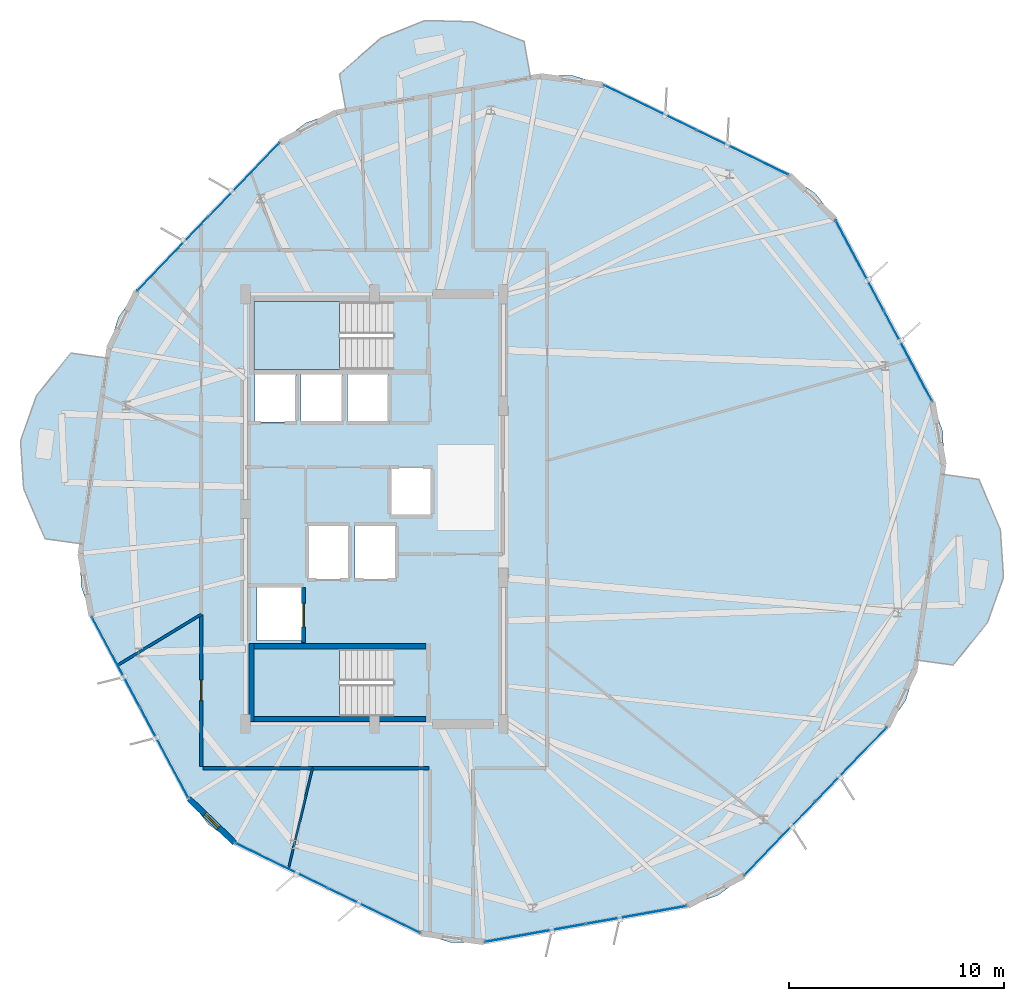
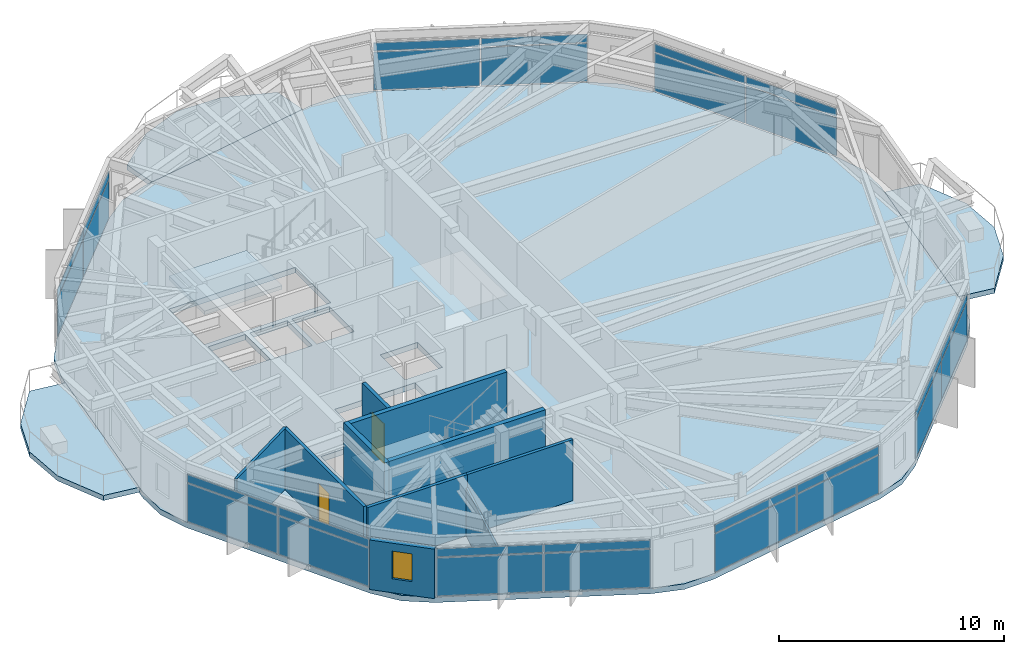
# One storey, part 22 of 28: 28 plates, 10 walls, 6 slabs, 2 doors, 1 window, 3 openings, 9 elements without a shape of their own.
"""IFC4 building model written with IfcOpenShell, lengths in metres."""

from ifc_helpers import new_model, si_unit, direction, frame, frame_2d, origin, origin_2d, place, context, subcontext, project, spatial, polyline, rectangle, outline, extrude, material, layer, layer_set, type_object, element, fill, aggregate, save


model = new_model("IFC4")

# Units and contexts
model_context = context("Model", 3, precision=1e-05, world=origin(), true_north=direction((0.0, 1.0)))
body_context = subcontext(model_context, "Body", "Model", "MODEL_VIEW")
ifc_project = project(units=[si_unit("LENGTHUNIT", "METRE"), si_unit("AREAUNIT", "SQUARE_METRE"), si_unit("VOLUMEUNIT", "CUBIC_METRE"), si_unit("PLANEANGLEUNIT", "RADIAN"), si_unit("MASSUNIT", "GRAM", prefix="KILO")], contexts=[model_context])

# Site, building, storey
site_placement = place(None, origin())
site = spatial("IfcSite", under=ifc_project, at=site_placement, CompositionType="ELEMENT")
building_placement = place(site_placement, origin())
building = spatial("IfcBuilding", under=site, at=building_placement, Name="Soratama Intermodal Tower", CompositionType="ELEMENT")
storey_placement = place(building_placement, frame((0.0, 0.0, 205.0)))
storey = spatial("IfcBuildingStorey", under=building, at=storey_placement, Name="L51", CompositionType="ELEMENT", Elevation=205.0)

# Curtain wall, plates
ifc_material_1 = material(Name="Double-glazed aluminium curtain wall", Category="aluminium")
ifc_layer_1 = layer(ifc_material_1, 0.159912109375)
ifc_layer_set_1 = layer_set([ifc_layer_1], Name="Double-glazed aluminium curtain wall")
curtain_wall_type = type_object("IfcCurtainWallType", Name="CW-SYS-5", PredefinedType="NOTDEFINED", material=ifc_layer_set_1)
curtain_wall_1_placement = place(storey_placement, origin())
curtain_wall_1 = element("IfcCurtainWall", 1, at=curtain_wall_1_placement, inside=storey, type_object=curtain_wall_type, Name="L51 Faceted Curtain Wall F01", PredefinedType="NOTDEFINED")
ifc_material_2 = material(Name="Low-E laminated double glazing", Category="glass")
ifc_layer_2 = layer(ifc_material_2, 0.02001953125)
ifc_layer_set_2 = layer_set([ifc_layer_2], Name="Low-E laminated double glazing")
plate_type = type_object("IfcPlateType", Name="PT-CWP-5", PredefinedType="CURTAIN_PANEL", material=ifc_layer_set_2)
plate_1_placement = place(storey_placement, frame((55.722412109375, 41.592041015625, 0.06005859375), z_axis=(0.0, 0.0, 1.0), x_axis=(-0.899407797904, 0.437110527293, 0.0)))
plate_1 = element("IfcPlate", 2, at=plate_1_placement, type_object=plate_type, Name="CW-5 panel 1.1", PredefinedType="CURTAIN_PANEL", context=body_context, shape_type="SweptSolid", body=[
    extrude(rectangle(XDim=4.72216796875, YDim=0.028076171875, at=origin_2d()), origin(), (0.0, 0.0, 1.0), 2.06005859375),
])
plate_2_placement = place(storey_placement, frame((55.722412109375, 41.592041015625, 2.179931640625), z_axis=(0.0, 0.0, 1.0), x_axis=(-0.899407797904, 0.437110527293, 0.0)))
plate_2 = element("IfcPlate", 3, at=plate_2_placement, type_object=plate_type, Name="CW-5 panel 1.2", PredefinedType="CURTAIN_PANEL", context=body_context, shape_type="SweptSolid", body=[
    extrude(rectangle(XDim=4.72216796875, YDim=0.028076171875, at=origin_2d()), origin(), (0.0, 0.0, 1.0), 0.43896484375),
])
plate_3_placement = place(storey_placement, frame((51.42138671875, 43.682373046875, 0.06005859375), z_axis=(0.0, 0.0, 1.0), x_axis=(-0.899407797904, 0.437110527293, 0.0)))
plate_3 = element("IfcPlate", 4, at=plate_3_placement, type_object=plate_type, Name="CW-5 panel 2.1", PredefinedType="CURTAIN_PANEL", context=body_context, shape_type="SweptSolid", body=[
    extrude(rectangle(XDim=4.72216796875, YDim=0.028076171875, at=origin_2d()), origin(), (0.0, 0.0, 1.0), 2.06005859375),
])
plate_4_placement = place(storey_placement, frame((51.42138671875, 43.682373046875, 2.179931640625), z_axis=(0.0, 0.0, 1.0), x_axis=(-0.899407797904, 0.437110527293, 0.0)))
plate_4 = element("IfcPlate", 5, at=plate_4_placement, type_object=plate_type, Name="CW-5 panel 2.2", PredefinedType="CURTAIN_PANEL", context=body_context, shape_type="SweptSolid", body=[
    extrude(rectangle(XDim=4.72216796875, YDim=0.028076171875, at=origin_2d()), origin(), (0.0, 0.0, 1.0), 0.43896484375),
])
aggregate(curtain_wall_1, [plate_1, plate_2, plate_3, plate_4])

curtain_wall_2_placement = place(storey_placement, origin())
curtain_wall_2 = element("IfcCurtainWall", 6, at=curtain_wall_2_placement, inside=storey, type_object=curtain_wall_type, Name="L51 Faceted Curtain Wall F03", PredefinedType="NOTDEFINED")
plate_5_placement = place(storey_placement, frame((32.533447265625, 40.32470703125, 0.06005859375), z_axis=(0.0, 0.0, 1.0), x_axis=(-0.693655264969, -0.720307138227, 0.0)))
plate_5 = element("IfcPlate", 7, at=plate_5_placement, type_object=plate_type, Name="CW-5 panel 1.1", PredefinedType="CURTAIN_PANEL", context=body_context, shape_type="SweptSolid", body=[
    extrude(rectangle(XDim=4.721923828125, YDim=0.028076171875, at=origin_2d()), origin(), (0.0, 0.0, 1.0), 2.06005859375),
])
plate_6_placement = place(storey_placement, frame((32.533447265625, 40.32470703125, 2.179931640625), z_axis=(0.0, 0.0, 1.0), x_axis=(-0.693655264969, -0.720307138227, 0.0)))
plate_6 = element("IfcPlate", 8, at=plate_6_placement, type_object=plate_type, Name="CW-5 panel 1.2", PredefinedType="CURTAIN_PANEL", context=body_context, shape_type="SweptSolid", body=[
    extrude(rectangle(XDim=4.721923828125, YDim=0.028076171875, at=origin_2d()), origin(), (0.0, 0.0, 1.0), 0.43896484375),
])
plate_7_placement = place(storey_placement, frame((29.21630859375, 36.880126953125, 0.06005859375), z_axis=(0.0, 0.0, 1.0), x_axis=(-0.693655264969, -0.720307138227, 0.0)))
plate_7 = element("IfcPlate", 9, at=plate_7_placement, type_object=plate_type, Name="CW-5 panel 2.1", PredefinedType="CURTAIN_PANEL", context=body_context, shape_type="SweptSolid", body=[
    extrude(rectangle(XDim=4.721923828125, YDim=0.028076171875, at=origin_2d()), origin(), (0.0, 0.0, 1.0), 2.06005859375),
])
plate_8_placement = place(storey_placement, frame((29.21630859375, 36.880126953125, 2.179931640625), z_axis=(0.0, 0.0, 1.0), x_axis=(-0.693655264969, -0.720307138227, 0.0)))
plate_8 = element("IfcPlate", 10, at=plate_8_placement, type_object=plate_type, Name="CW-5 panel 2.2", PredefinedType="CURTAIN_PANEL", context=body_context, shape_type="SweptSolid", body=[
    extrude(rectangle(XDim=4.721923828125, YDim=0.028076171875, at=origin_2d()), origin(), (0.0, 0.0, 1.0), 0.43896484375),
])
aggregate(curtain_wall_2, [plate_5, plate_6, plate_7, plate_8])

curtain_wall_3_placement = place(storey_placement, origin())
curtain_wall_3 = element("IfcCurtainWall", 11, at=curtain_wall_3_placement, inside=storey, type_object=curtain_wall_type, Name="L51 Faceted Curtain Wall F05", PredefinedType="NOTDEFINED")
plate_9_placement = place(storey_placement, frame((26.572998046875, 17.879150390625, 0.06005859375), z_axis=(0.0, 0.0, 1.0), x_axis=(0.47070633921, -0.882289942268, 0.0)))
plate_9 = element("IfcPlate", 12, at=plate_9_placement, type_object=plate_type, Name="CW-5 panel 1.1", PredefinedType="CURTAIN_PANEL", context=body_context, shape_type="SweptSolid", body=[
    extrude(rectangle(XDim=4.721923828125, YDim=0.028076171875, at=origin_2d()), origin(), (0.0, 0.0, 1.0), 2.06005859375),
])
plate_10_placement = place(storey_placement, frame((26.572998046875, 17.879150390625, 2.179931640625), z_axis=(0.0, 0.0, 1.0), x_axis=(0.47070633921, -0.882289942268, 0.0)))
plate_10 = element("IfcPlate", 13, at=plate_10_placement, type_object=plate_type, Name="CW-5 panel 1.2", PredefinedType="CURTAIN_PANEL", context=body_context, shape_type="SweptSolid", body=[
    extrude(rectangle(XDim=4.721923828125, YDim=0.028076171875, at=origin_2d()), origin(), (0.0, 0.0, 1.0), 0.43896484375),
])
plate_11_placement = place(storey_placement, frame((28.82373046875, 13.659912109375, 0.06005859375), z_axis=(0.0, 0.0, 1.0), x_axis=(0.47070633921, -0.882289942268, 0.0)))
plate_11 = element("IfcPlate", 14, at=plate_11_placement, type_object=plate_type, Name="CW-5 panel 2.1", PredefinedType="CURTAIN_PANEL", context=body_context, shape_type="SweptSolid", body=[
    extrude(rectangle(XDim=4.721923828125, YDim=0.028076171875, at=origin_2d()), origin(), (0.0, 0.0, 1.0), 2.06005859375),
])
plate_12_placement = place(storey_placement, frame((28.82373046875, 13.659912109375, 2.179931640625), z_axis=(0.0, 0.0, 1.0), x_axis=(0.47070633921, -0.882289942268, 0.0)))
plate_12 = element("IfcPlate", 15, at=plate_12_placement, type_object=plate_type, Name="CW-5 panel 2.2", PredefinedType="CURTAIN_PANEL", context=body_context, shape_type="SweptSolid", body=[
    extrude(rectangle(XDim=4.721923828125, YDim=0.028076171875, at=origin_2d()), origin(), (0.0, 0.0, 1.0), 0.43896484375),
])
aggregate(curtain_wall_3, [plate_9, plate_10, plate_11, plate_12])

curtain_wall_4_placement = place(storey_placement, origin())
curtain_wall_4 = element("IfcCurtainWall", 16, at=curtain_wall_4_placement, inside=storey, type_object=curtain_wall_type, Name="L51 Faceted Curtain Wall F06", PredefinedType="NOTDEFINED")
plate_13_placement = place(storey_placement, frame((34.277587890625, 8.407958984375, 0.06005859375), z_axis=(0.0, 0.0, 1.0), x_axis=(0.899407797904, -0.437110527293, 0.0)))
plate_13 = element("IfcPlate", 17, at=plate_13_placement, type_object=plate_type, Name="CW-5 panel 1.1", PredefinedType="CURTAIN_PANEL", context=body_context, shape_type="SweptSolid", body=[
    extrude(rectangle(XDim=4.72216796875, YDim=0.028076171875, at=origin_2d()), origin(), (0.0, 0.0, 1.0), 2.06005859375),
])
plate_14_placement = place(storey_placement, frame((34.277587890625, 8.407958984375, 2.179931640625), z_axis=(0.0, 0.0, 1.0), x_axis=(0.899407797904, -0.437110527293, 0.0)))
plate_14 = element("IfcPlate", 18, at=plate_14_placement, type_object=plate_type, Name="CW-5 panel 1.2", PredefinedType="CURTAIN_PANEL", context=body_context, shape_type="SweptSolid", body=[
    extrude(rectangle(XDim=4.72216796875, YDim=0.028076171875, at=origin_2d()), origin(), (0.0, 0.0, 1.0), 0.43896484375),
])
plate_15_placement = place(storey_placement, frame((38.57861328125, 6.317626953125, 0.06005859375), z_axis=(0.0, 0.0, 1.0), x_axis=(0.899407797904, -0.437110527293, 0.0)))
plate_15 = element("IfcPlate", 19, at=plate_15_placement, type_object=plate_type, Name="CW-5 panel 2.1", PredefinedType="CURTAIN_PANEL", context=body_context, shape_type="SweptSolid", body=[
    extrude(rectangle(XDim=4.72216796875, YDim=0.028076171875, at=origin_2d()), origin(), (0.0, 0.0, 1.0), 2.06005859375),
])
plate_16_placement = place(storey_placement, frame((38.57861328125, 6.317626953125, 2.179931640625), z_axis=(0.0, 0.0, 1.0), x_axis=(0.899407797904, -0.437110527293, 0.0)))
plate_16 = element("IfcPlate", 20, at=plate_16_placement, type_object=plate_type, Name="CW-5 panel 2.2", PredefinedType="CURTAIN_PANEL", context=body_context, shape_type="SweptSolid", body=[
    extrude(rectangle(XDim=4.72216796875, YDim=0.028076171875, at=origin_2d()), origin(), (0.0, 0.0, 1.0), 0.43896484375),
])
aggregate(curtain_wall_4, [plate_13, plate_14, plate_15, plate_16])

curtain_wall_5_placement = place(storey_placement, origin())
curtain_wall_5 = element("IfcCurtainWall", 21, at=curtain_wall_5_placement, inside=storey, type_object=curtain_wall_type, Name="L51 Faceted Curtain Wall F07", PredefinedType="NOTDEFINED")
plate_17_placement = place(storey_placement, frame((46.078125, 5.274169921875, 0.06005859375), z_axis=(0.0, 0.0, 1.0), x_axis=(0.984563422973, 0.175028186714, 0.0)))
plate_17 = element("IfcPlate", 22, at=plate_17_placement, type_object=plate_type, Name="CW-5 panel 1.1", PredefinedType="CURTAIN_PANEL", context=body_context, shape_type="SweptSolid", body=[
    extrude(rectangle(XDim=4.72216796875, YDim=0.028076171875, at=origin_2d()), origin(), (0.0, 0.0, 1.0), 2.06005859375),
])
plate_18_placement = place(storey_placement, frame((46.078125, 5.274169921875, 2.179931640625), z_axis=(0.0, 0.0, 1.0), x_axis=(0.984563422973, 0.175028186714, 0.0)))
plate_18 = element("IfcPlate", 23, at=plate_18_placement, type_object=plate_type, Name="CW-5 panel 1.2", PredefinedType="CURTAIN_PANEL", context=body_context, shape_type="SweptSolid", body=[
    extrude(rectangle(XDim=4.72216796875, YDim=0.028076171875, at=origin_2d()), origin(), (0.0, 0.0, 1.0), 0.43896484375),
])
plate_19_placement = place(storey_placement, frame((50.786376953125, 6.111328125, 0.06005859375), z_axis=(0.0, 0.0, 1.0), x_axis=(0.984563422973, 0.175028186714, 0.0)))
plate_19 = element("IfcPlate", 24, at=plate_19_placement, type_object=plate_type, Name="CW-5 panel 2.1", PredefinedType="CURTAIN_PANEL", context=body_context, shape_type="SweptSolid", body=[
    extrude(rectangle(XDim=4.72216796875, YDim=0.028076171875, at=origin_2d()), origin(), (0.0, 0.0, 1.0), 2.06005859375),
])
plate_20_placement = place(storey_placement, frame((50.786376953125, 6.111328125, 2.179931640625), z_axis=(0.0, 0.0, 1.0), x_axis=(0.984563422973, 0.175028186714, 0.0)))
plate_20 = element("IfcPlate", 25, at=plate_20_placement, type_object=plate_type, Name="CW-5 panel 2.2", PredefinedType="CURTAIN_PANEL", context=body_context, shape_type="SweptSolid", body=[
    extrude(rectangle(XDim=4.72216796875, YDim=0.028076171875, at=origin_2d()), origin(), (0.0, 0.0, 1.0), 0.43896484375),
])
aggregate(curtain_wall_5, [plate_17, plate_18, plate_19, plate_20])

curtain_wall_6_placement = place(storey_placement, origin())
curtain_wall_6 = element("IfcCurtainWall", 26, at=curtain_wall_6_placement, inside=storey, type_object=curtain_wall_type, Name="L51 Faceted Curtain Wall F08", PredefinedType="NOTDEFINED")
plate_21_placement = place(storey_placement, frame((57.466552734375, 9.67529296875, 0.06005859375), z_axis=(0.0, 0.0, 1.0), x_axis=(0.693655264969, 0.720307138227, 0.0)))
plate_21 = element("IfcPlate", 27, at=plate_21_placement, type_object=plate_type, Name="CW-5 panel 1.1", PredefinedType="CURTAIN_PANEL", context=body_context, shape_type="SweptSolid", body=[
    extrude(rectangle(XDim=4.721923828125, YDim=0.028076171875, at=origin_2d()), origin(), (0.0, 0.0, 1.0), 2.06005859375),
])
plate_22_placement = place(storey_placement, frame((57.466552734375, 9.67529296875, 2.179931640625), z_axis=(0.0, 0.0, 1.0), x_axis=(0.693655264969, 0.720307138227, 0.0)))
plate_22 = element("IfcPlate", 28, at=plate_22_placement, type_object=plate_type, Name="CW-5 panel 1.2", PredefinedType="CURTAIN_PANEL", context=body_context, shape_type="SweptSolid", body=[
    extrude(rectangle(XDim=4.721923828125, YDim=0.028076171875, at=origin_2d()), origin(), (0.0, 0.0, 1.0), 0.43896484375),
])
plate_23_placement = place(storey_placement, frame((60.78369140625, 13.119873046875, 0.06005859375), z_axis=(0.0, 0.0, 1.0), x_axis=(0.693655264969, 0.720307138227, 0.0)))
plate_23 = element("IfcPlate", 29, at=plate_23_placement, type_object=plate_type, Name="CW-5 panel 2.1", PredefinedType="CURTAIN_PANEL", context=body_context, shape_type="SweptSolid", body=[
    extrude(rectangle(XDim=4.721923828125, YDim=0.028076171875, at=origin_2d()), origin(), (0.0, 0.0, 1.0), 2.06005859375),
])
plate_24_placement = place(storey_placement, frame((60.78369140625, 13.119873046875, 2.179931640625), z_axis=(0.0, 0.0, 1.0), x_axis=(0.693655264969, 0.720307138227, 0.0)))
plate_24 = element("IfcPlate", 30, at=plate_24_placement, type_object=plate_type, Name="CW-5 panel 2.2", PredefinedType="CURTAIN_PANEL", context=body_context, shape_type="SweptSolid", body=[
    extrude(rectangle(XDim=4.721923828125, YDim=0.028076171875, at=origin_2d()), origin(), (0.0, 0.0, 1.0), 0.43896484375),
])
aggregate(curtain_wall_6, [plate_21, plate_22, plate_23, plate_24])

curtain_wall_7_placement = place(storey_placement, origin())
curtain_wall_7 = element("IfcCurtainWall", 31, at=curtain_wall_7_placement, inside=storey, type_object=curtain_wall_type, Name="L51 Faceted Curtain Wall F10", PredefinedType="NOTDEFINED")
plate_25_placement = place(storey_placement, frame((63.427001953125, 32.120849609375, 0.06005859375), z_axis=(0.0, 0.0, 1.0), x_axis=(-0.47070633921, 0.882289942268, 0.0)))
plate_25 = element("IfcPlate", 32, at=plate_25_placement, type_object=plate_type, Name="CW-5 panel 1.1", PredefinedType="CURTAIN_PANEL", context=body_context, shape_type="SweptSolid", body=[
    extrude(rectangle(XDim=4.721923828125, YDim=0.028076171875, at=origin_2d()), origin(), (0.0, 0.0, 1.0), 2.06005859375),
])
plate_26_placement = place(storey_placement, frame((63.427001953125, 32.120849609375, 2.179931640625), z_axis=(0.0, 0.0, 1.0), x_axis=(-0.47070633921, 0.882289942268, 0.0)))
plate_26 = element("IfcPlate", 33, at=plate_26_placement, type_object=plate_type, Name="CW-5 panel 1.2", PredefinedType="CURTAIN_PANEL", context=body_context, shape_type="SweptSolid", body=[
    extrude(rectangle(XDim=4.721923828125, YDim=0.028076171875, at=origin_2d()), origin(), (0.0, 0.0, 1.0), 0.43896484375),
])
plate_27_placement = place(storey_placement, frame((61.17626953125, 36.340087890625, 0.06005859375), z_axis=(0.0, 0.0, 1.0), x_axis=(-0.47070633921, 0.882289942268, 0.0)))
plate_27 = element("IfcPlate", 34, at=plate_27_placement, type_object=plate_type, Name="CW-5 panel 2.1", PredefinedType="CURTAIN_PANEL", context=body_context, shape_type="SweptSolid", body=[
    extrude(rectangle(XDim=4.721923828125, YDim=0.028076171875, at=origin_2d()), origin(), (0.0, 0.0, 1.0), 2.06005859375),
])
plate_28_placement = place(storey_placement, frame((61.17626953125, 36.340087890625, 2.179931640625), z_axis=(0.0, 0.0, 1.0), x_axis=(-0.47070633921, 0.882289942268, 0.0)))
plate_28 = element("IfcPlate", 35, at=plate_28_placement, type_object=plate_type, Name="CW-5 panel 2.2", PredefinedType="CURTAIN_PANEL", context=body_context, shape_type="SweptSolid", body=[
    extrude(rectangle(XDim=4.721923828125, YDim=0.028076171875, at=origin_2d()), origin(), (0.0, 0.0, 1.0), 0.43896484375),
])
aggregate(curtain_wall_7, [plate_25, plate_26, plate_27, plate_28])

# Slabs
ifc_material_3 = material(Name="Concrete f'c 42 MPa", Category="concrete")
ifc_layer_3 = layer(ifc_material_3, 0.27001953125)
ifc_layer_set_3 = layer_set([ifc_layer_3], Name="Concrete f'c 42 MPa")
slab_type_1 = type_object("IfcSlabType", Name="SL-EXT-BAL1", PredefinedType="FLOOR", material=ifc_layer_set_3)
slab_1_placement = place(storey_placement, frame((0.0, 0.0, -0.27001953125)))
element("IfcSlab", 36, at=slab_1_placement, inside=storey, type_object=slab_type_1, Name="L51 Planted Balcony East 1", PredefinedType="FLOOR", context=body_context, shape_type="SweptSolid", body=[
    extrude(outline(polyline([(63.82177734375, 17.9775390625), (65.02392578125, 26.618408203125), (66.7275390625, 26.38134765625), (67.725341796875, 24.04052734375), (67.86962890625, 21.818359375), (67.124267578125, 19.72021484375), (65.525390625, 17.740478515625), (63.82177734375, 17.9775390625)])), origin(), (0.0, 0.0, 1.0), 0.27001953125),
])
slab_2_placement = place(storey_placement, frame((0.0, 0.0, -0.27001953125)))
element("IfcSlab", 37, at=slab_2_placement, inside=storey, type_object=slab_type_1, Name="L51 Planted Balcony North 2", PredefinedType="FLOOR", context=body_context, shape_type="SweptSolid", body=[
    extrude(outline(polyline([(45.862548828125, 45.07080078125), (37.273193359375, 43.543701171875), (36.971923828125, 45.2373046875), (38.889892578125, 46.90966796875), (40.958740234375, 47.7333984375), (43.184814453125, 47.673095703125), (45.5615234375, 46.76416015625), (45.862548828125, 45.07080078125)])), origin(), (0.0, 0.0, 1.0), 0.27001953125),
])
slab_3_placement = place(storey_placement, frame((0.0, 0.0, -0.27001953125)))
element("IfcSlab", 38, at=slab_3_placement, inside=storey, type_object=slab_type_1, Name="L51 Planted Balcony West 3", PredefinedType="FLOOR", context=body_context, shape_type="SweptSolid", body=[
    extrude(outline(polyline([(26.17822265625, 32.0224609375), (24.97607421875, 23.381591796875), (23.2724609375, 23.61865234375), (22.274658203125, 25.95947265625), (22.13037109375, 28.181640625), (22.875732421875, 30.27978515625), (24.474609375, 32.259521484375), (26.17822265625, 32.0224609375)])), origin(), (0.0, 0.0, 1.0), 0.27001953125),
])

# Stair, slab
ifc_material_4 = material(Name="Concrete f'c 42 MPa", Category="concrete")
stair_type = type_object("IfcStairType", Name="ST-CORE-DOGLEG", PredefinedType="HALF_TURN_STAIR", material=ifc_material_4)
stair_1_placement = place(storey_placement, origin())
stair_1 = element("IfcStair", 39, at=stair_1_placement, inside=storey, type_object=stair_type, Name="L51 ST-1", PredefinedType="HALF_TURN_STAIR")
ifc_material_5 = material(Name="Concrete f'c 42 MPa", Category="concrete")
ifc_layer_4 = layer(ifc_material_5, 0.219970703125)
ifc_layer_set_4 = layer_set([ifc_layer_4], Name="Concrete f'c 42 MPa")
slab_type_2 = type_object("IfcSlabType", Name="SL-STAIR-LAND", PredefinedType="LANDING", material=ifc_layer_set_4)
slab_4_placement = place(storey_placement, frame((0.0, 0.0, 1.60009765625)))
slab_4 = element("IfcSlab", 40, at=slab_4_placement, type_object=slab_type_2, Name="ST-1 landing 1", PredefinedType="LANDING", context=body_context, shape_type="SweptSolid", body=[
    extrude(outline(polyline([(36.97998046875, 18.5), (33.0, 18.5), (33.0, 15.35009765625), (36.97998046875, 15.35009765625), (36.97998046875, 18.5)])), origin(), (0.0, 0.0, 1.0), 0.199951171875),
])
aggregate(stair_1, [slab_4])

stair_2_placement = place(storey_placement, origin())
stair_2 = element("IfcStair", 41, at=stair_2_placement, inside=storey, type_object=stair_type, Name="L51 ST-2", PredefinedType="HALF_TURN_STAIR")
slab_5_placement = place(storey_placement, frame((0.0, 0.0, 1.60009765625)))
slab_5 = element("IfcSlab", 42, at=slab_5_placement, type_object=slab_type_2, Name="ST-2 landing 1", PredefinedType="LANDING", context=body_context, shape_type="SweptSolid", body=[
    extrude(outline(polyline([(36.97998046875, 34.64990234375), (33.0, 34.64990234375), (33.0, 31.5), (36.97998046875, 31.5), (36.97998046875, 34.64990234375)])), origin(), (0.0, 0.0, 1.0), 0.199951171875),
])
aggregate(stair_2, [slab_5])

# Slab
ifc_material_6 = material(Name="Concrete f'c 42 MPa", Category="concrete")
ifc_layer_5 = layer(ifc_material_6, 0.280029296875)
ifc_layer_set_5 = layer_set([ifc_layer_5], Name="Concrete f'c 42 MPa")
slab_type_3 = type_object("IfcSlabType", Name="SL-TWR-280", PredefinedType="FLOOR", material=ifc_layer_set_5)
slab_6_placement = place(storey_placement, frame((0.0, 0.0, -0.300048828125)))
element("IfcSlab", 43, at=slab_6_placement, inside=storey, type_object=slab_type_3, Name="L51 Structural Floor Slab", PredefinedType="FLOOR", context=body_context, shape_type="SweptSolid", body=[
    extrude(outline(polyline([(60.03662109375, 38.47607421875), (59.131103515625, 39.67431640625), (57.89990234375, 40.533935546875), (49.243896484375, 44.74072265625), (47.80712890625, 45.177734375), (46.3056640625, 45.1494140625), (36.830078125, 43.465087890625), (35.410888671875, 42.97412109375), (34.212646484375, 42.068603515625), (27.536865234375, 35.13623046875), (26.67724609375, 33.905029296875), (26.240234375, 32.46826171875), (24.9140625, 22.935791015625), (24.9423828125, 21.434326171875), (25.433349609375, 20.01513671875), (29.96337890625, 11.52392578125), (30.868896484375, 10.32568359375), (32.10009765625, 9.466064453125), (40.756103515625, 5.25927734375), (42.19287109375, 4.822265625), (43.6943359375, 4.8505859375), (53.169921875, 6.534912109375), (54.589111328125, 7.02587890625), (55.787353515625, 7.931396484375), (62.463134765625, 14.86376953125), (63.32275390625, 16.094970703125), (63.759765625, 17.53173828125), (65.0859375, 27.064208984375), (65.0576171875, 28.565673828125), (64.566650390625, 29.98486328125), (60.03662109375, 38.47607421875)]), holes=[polyline([(33.0, 18.5), (33.0, 15.35009765625), (39.47509765625, 15.35009765625), (39.47509765625, 18.5), (33.0, 18.5)]), polyline([(35.260009765625, 21.409912109375), (33.139892578125, 21.409912109375), (33.139892578125, 18.889892578125), (35.260009765625, 18.889892578125), (35.260009765625, 21.409912109375)]), polyline([(37.409912109375, 24.260009765625), (35.489990234375, 24.260009765625), (35.489990234375, 21.739990234375), (37.409912109375, 21.739990234375), (37.409912109375, 24.260009765625)]), polyline([(39.610107421875, 24.260009765625), (37.68994140625, 24.260009765625), (37.68994140625, 21.739990234375), (39.610107421875, 21.739990234375), (39.610107421875, 24.260009765625)]), polyline([(41.260009765625, 26.909912109375), (39.340087890625, 26.909912109375), (39.340087890625, 24.68994140625), (41.260009765625, 24.68994140625), (41.260009765625, 26.909912109375)]), polyline([(34.9599609375, 31.260009765625), (33.0400390625, 31.260009765625), (33.0400390625, 29.0400390625), (34.9599609375, 29.0400390625), (34.9599609375, 31.260009765625)]), polyline([(37.110107421875, 31.260009765625), (35.18994140625, 31.260009765625), (35.18994140625, 29.0400390625), (37.110107421875, 29.0400390625), (37.110107421875, 31.260009765625)]), polyline([(39.260009765625, 29.0400390625), (39.260009765625, 31.260009765625), (37.340087890625, 31.260009765625), (37.340087890625, 29.0400390625), (39.260009765625, 29.0400390625)]), polyline([(39.47509765625, 34.64990234375), (33.0, 34.64990234375), (33.0, 31.5), (39.47509765625, 31.5), (39.47509765625, 34.64990234375)])]), origin(), (0.0, 0.0, 1.0), 0.300048828125),
])

# Wall, opening, window
ifc_material_7 = material(Name="Concrete f'c 42 MPa", Category="concrete")
ifc_layer_6 = layer(ifc_material_7, 0.27001953125)
ifc_layer_set_6 = layer_set([ifc_layer_6], Name="Concrete f'c 42 MPa")
wall_type_1 = type_object("IfcWallType", Name="EW-CRN-270", PredefinedType="SOLIDWALL", material=ifc_layer_set_6)
wall_1_placement = place(storey_placement, frame((29.96337890625, 11.52392578125, 0.0), z_axis=(0.0, 0.0, 1.0), x_axis=(0.720273000242, -0.69369071287, 0.0)))
wall_1 = element("IfcWall", 44, at=wall_1_placement, inside=storey, type_object=wall_type_1, Name="L51 Corner Closure Wall 05", PredefinedType="SOLIDWALL", context=body_context, shape_type="SweptSolid", body=[
    extrude(rectangle(XDim=2.966552734375, YDim=0.27001953125, at=frame_2d((1.4833984375, 0.0))), origin(), (0.0, 0.0, 1.0), 2.678955078125),
])
opening_1_placement = place(wall_1_placement, frame((1.033203125, 0.0, 0.75)))
opening_1 = element("IfcOpeningElement", 45, at=opening_1_placement, cuts=wall_1, Name="Opening WN-6", PredefinedType="OPENING", context=body_context, shape_type="SweptSolid", body=[
    extrude(rectangle(XDim=0.89990234375, YDim=1.5, at=frame_2d((0.449951171875, 0.75))), frame((0.0, 0.14501953125, 0.0), z_axis=(0.0, -1.0, 0.0), x_axis=(1.0, 0.0, 0.0)), (0.0, 0.0, 1.0), 0.2900390625),
])
ifc_material_8 = material(Name="Double-glazed aluminium window", Category="aluminium")
window_type = type_object("IfcWindowType", Name="WN-FAC-900", PartitioningType="SINGLE_PANEL", PredefinedType="WINDOW", material=ifc_material_8)
window_placement = place(opening_1_placement, origin())
window = element("IfcWindow", 46, at=window_placement, inside=storey, type_object=window_type, Name="L51 Corner Window 05", OverallHeight=1.5, OverallWidth=0.89990234375, PartitioningType="SINGLE_PANEL", PredefinedType="WINDOW", context=body_context, shape_type="SweptSolid", body=[
    extrude(rectangle(XDim=0.89990234375, YDim=1.5, at=frame_2d((0.449951171875, 0.75))), frame((0.0, 0.030029296875, 0.0), z_axis=(0.0, -1.0, 0.0), x_axis=(1.0, 0.0, 0.0)), (0.0, 0.0, 1.0), 0.06005859375),
])
fill(opening_1, window)

# Wall, opening, door
ifc_material_9 = material(Name="Fire-rated gypsum stud partition", Category="concrete")
ifc_layer_7 = layer(ifc_material_9, 0.159912109375)
ifc_layer_set_7 = layer_set([ifc_layer_7], Name="Fire-rated gypsum stud partition")
wall_type_2 = type_object("IfcWallType", Name="IW-PART-R160", PredefinedType="PARTITIONING", material=ifc_layer_set_7)
wall_2_placement = place(storey_placement, frame((30.550048828125, 13.02001953125, 0.0), z_axis=(0.0, 0.0, 1.0), x_axis=(0.0, 1.0, 0.0)))
wall_2 = element("IfcWall", 47, at=wall_2_placement, inside=storey, type_object=wall_type_2, Name="L51 Partition W-L51-TP010", PredefinedType="PARTITIONING", context=body_context, shape_type="SweptSolid", body=[
    extrude(rectangle(XDim=7.0859375, YDim=0.159912109375, at=frame_2d((3.54296875, 0.0))), origin(), (0.0, 0.0, 1.0), 3.300048828125),
])
opening_2_placement = place(wall_2_placement, frame((3.068115234375, 0.0, 0.0)))
opening_2 = element("IfcOpeningElement", 48, at=opening_2_placement, cuts=wall_2, Name="Opening ID-3", PredefinedType="OPENING", context=body_context, shape_type="SweptSolid", body=[
    extrude(rectangle(XDim=0.949951171875, YDim=2.14990234375, at=frame_2d((0.47509765625, 1.074951171875))), frame((0.0, 0.08984375, 0.0), z_axis=(0.0, -1.0, 0.0), x_axis=(1.0, 0.0, 0.0)), (0.0, 0.0, 1.0), 0.179931640625),
])
ifc_material_10 = material(Name="Solid hardwood acoustic door", Category="wood")
door_type_1 = type_object("IfcDoorType", Name="DR-ROOM-950", OperationType="NOTDEFINED", PredefinedType="DOOR", material=ifc_material_10)
door_1_placement = place(opening_2_placement, origin())
door_1 = element("IfcDoor", 49, at=door_1_placement, inside=storey, type_object=door_type_1, Name="L51 Door D-L51-TP007", OperationType="SINGLE_SWING_RIGHT", OverallHeight=2.14990234375, OverallWidth=0.949951171875, PredefinedType="DOOR", context=body_context, shape_type="SweptSolid", body=[
    extrude(rectangle(XDim=0.949951171875, YDim=2.14990234375, at=frame_2d((0.47509765625, 1.074951171875))), frame((0.0, 0.02490234375, 0.0), z_axis=(0.0, -1.0, 0.0), x_axis=(1.0, 0.0, 0.0)), (0.0, 0.0, 1.0), 0.050048828125),
])
fill(opening_2, door_1)

# Walls
wall_3_placement = place(storey_placement, frame((41.1298828125, 12.949951171875, 0.0), z_axis=(0.0, 0.0, 1.0), x_axis=(-1.0, 0.0, 0.0)))
element("IfcWall", 50, at=wall_3_placement, inside=storey, type_object=wall_type_2, Name="L51 Partition W-L51-TP014", PredefinedType="PARTITIONING", context=body_context, shape_type="SweptSolid", body=[
    extrude(rectangle(XDim=5.410888671875, YDim=0.159912109375, at=frame_2d((2.70556640625, 0.0))), origin(), (0.0, 0.0, 1.0), 3.300048828125),
])
wall_4_placement = place(storey_placement, frame((35.718994140625, 12.949951171875, 0.0), z_axis=(0.0, 0.0, 1.0), x_axis=(-1.0, 0.0, 0.0)))
element("IfcWall", 51, at=wall_4_placement, inside=storey, type_object=wall_type_2, Name="L51 Partition W-L51-TP015", PredefinedType="PARTITIONING", context=body_context, shape_type="SweptSolid", body=[
    extrude(rectangle(XDim=5.098876953125, YDim=0.159912109375, at=frame_2d((2.54931640625, 0.0))), origin(), (0.0, 0.0, 1.0), 3.300048828125),
])
ifc_material_11 = material(Name="Fire-rated gypsum stud partition", Category="concrete")
ifc_layer_8 = layer(ifc_material_11, 0.10009765625)
ifc_layer_set_8 = layer_set([ifc_layer_8], Name="Fire-rated gypsum stud partition")
wall_type_3 = type_object("IfcWallType", Name="IW-PART-S100", PredefinedType="PARTITIONING", material=ifc_layer_set_8)
wall_5_placement = place(storey_placement, frame((35.718994140625, 12.949951171875, 0.0), z_axis=(0.0, 0.0, 1.0), x_axis=(-0.232734329743, -0.972540349682, 0.0)))
element("IfcWall", 52, at=wall_5_placement, inside=storey, type_object=wall_type_3, Name="L51 Partition W-L51-TP019", PredefinedType="PARTITIONING", context=body_context, shape_type="SweptSolid", body=[
    extrude(rectangle(XDim=4.82958984375, YDim=0.10009765625, at=frame_2d((2.414794921875, 0.0))), origin(), (0.0, 0.0, 1.0), 2.594970703125),
])
ifc_material_12 = material(Name="Fire-rated gypsum stud partition", Category="concrete")
ifc_layer_9 = layer(ifc_material_12, 0.1298828125)
ifc_layer_set_9 = layer_set([ifc_layer_9], Name="Fire-rated gypsum stud partition")
wall_type_4 = type_object("IfcWallType", Name="IW-PART-S130", PredefinedType="PARTITIONING", material=ifc_layer_set_9)
wall_6_placement = place(storey_placement, frame((30.550048828125, 20.10595703125, 0.0), z_axis=(0.0, 0.0, 1.0), x_axis=(-0.85450518218, -0.519442868492, 0.0)))
element("IfcWall", 53, at=wall_6_placement, inside=storey, type_object=wall_type_4, Name="L51 Partition W-L51-TP021", PredefinedType="PARTITIONING", context=body_context, shape_type="SweptSolid", body=[
    extrude(rectangle(XDim=4.564208984375, YDim=0.1298828125, at=frame_2d((2.2822265625, 0.0))), origin(), (0.0, 0.0, 1.0), 3.300048828125),
])

# Wall, opening, door
ifc_material_13 = material(Name="Concrete f'c 42 MPa", Category="concrete")
ifc_layer_10 = layer(ifc_material_13, 0.18505859375)
ifc_layer_set_10 = layer_set([ifc_layer_10], Name="Concrete f'c 42 MPa")
wall_type_5 = type_object("IfcWallType", Name="IW-SHAFT-185", PredefinedType="SOLIDWALL", material=ifc_layer_set_10)
wall_7_placement = place(storey_placement, frame((35.300048828125, 18.7900390625, 0.0), z_axis=(0.0, 0.0, 1.0), x_axis=(0.0, 1.0, 0.0)))
wall_7 = element("IfcWall", 54, at=wall_7_placement, inside=storey, type_object=wall_type_5, Name="L51 SVL-1 Hoistway Wall E", PredefinedType="SOLIDWALL", context=body_context, shape_type="SweptSolid", body=[
    extrude(rectangle(XDim=2.550048828125, YDim=0.18505859375, at=frame_2d((1.27490234375, 0.0))), origin(), (0.0, 0.0, 1.0), 3.300048828125),
])
opening_3_placement = place(wall_7_placement, frame((0.72509765625, 0.0, 0.0)))
opening_3 = element("IfcOpeningElement", 55, at=opening_3_placement, cuts=wall_7, Name="Opening LD-1", PredefinedType="OPENING", context=body_context, shape_type="SweptSolid", body=[
    extrude(rectangle(XDim=1.10009765625, YDim=2.14990234375, at=frame_2d((0.550048828125, 1.074951171875))), frame((0.0, 0.1025390625, 0.0), z_axis=(0.0, -1.0, 0.0), x_axis=(1.0, 0.0, 0.0)), (0.0, 0.0, 1.0), 0.205078125),
])
ifc_material_14 = material(Name="Steel fire door", Category="steel")
door_type_2 = type_object("IfcDoorType", Name="DR-LIFT-SLIDE", OperationType="NOTDEFINED", PredefinedType="DOOR", material=ifc_material_14)
door_2_placement = place(opening_3_placement, origin())
door_2 = element("IfcDoor", 56, at=door_2_placement, inside=storey, type_object=door_type_2, Name="L51 SVL-1 Sliding Landing Door", OperationType="SLIDING_TO_LEFT", OverallHeight=2.14990234375, OverallWidth=1.10009765625, PredefinedType="DOOR", context=body_context, shape_type="SweptSolid", body=[
    extrude(rectangle(XDim=1.10009765625, YDim=2.14990234375, at=frame_2d((0.550048828125, 1.074951171875))), frame((0.0, 0.02490234375, 0.0), z_axis=(0.0, -1.0, 0.0), x_axis=(1.0, 0.0, 0.0)), (0.0, 0.0, 1.0), 0.050048828125),
])
fill(opening_3, door_2)

# Walls
ifc_material_15 = material(Name="Concrete f'c 56 MPa", Category="concrete")
ifc_layer_11 = layer(ifc_material_15, 0.239990234375)
ifc_layer_set_11 = layer_set([ifc_layer_11], Name="Concrete f'c 56 MPa")
wall_type_6 = type_object("IfcWallType", Name="SW-STAIR-240", PredefinedType="SHEAR", material=ifc_layer_set_11)
wall_8_placement = place(storey_placement, frame((32.8798828125, 15.110107421875, 0.0), z_axis=(0.0, 0.0, 1.0), x_axis=(0.0, 1.0, 0.0)))
element("IfcWall", 57, at=wall_8_placement, inside=storey, type_object=wall_type_6, Name="L51 ST-1 Shaft Shear Wall W", PredefinedType="SHEAR", context=body_context, shape_type="SweptSolid", body=[
    extrude(rectangle(XDim=3.6298828125, YDim=0.239990234375, at=frame_2d((1.81494140625, 0.0))), origin(), (0.0, 0.0, 1.0), 3.60009765625),
])
for number, where, z_axis, x_axis, name in (
    (58, (33.0, 15.22998046875, 0.0), (0.0, 0.0, 1.0), (1.0, 0.0, 0.0), "L51 ST-1 Shaft Shear Wall S"),
    (59, (33.0, 18.6201171875, 0.0), (0.0, 0.0, 1.0), (1.0, 0.0, 0.0), "L51 ST-1 Shaft Shear Wall N"),
):
    element("IfcWall", number, at=place(storey_placement, frame(where, z_axis=z_axis, x_axis=x_axis)), inside=storey, type_object=wall_type_6, Name=name, PredefinedType="SHEAR", context=body_context, shape_type="SweptSolid", body=[
        extrude(rectangle(XDim=8.0, YDim=0.239990234375, at=frame_2d((4.0, 0.0))), origin(), (0.0, 0.0, 1.0), 3.60009765625),
    ])

save(model, "model.ifc")
